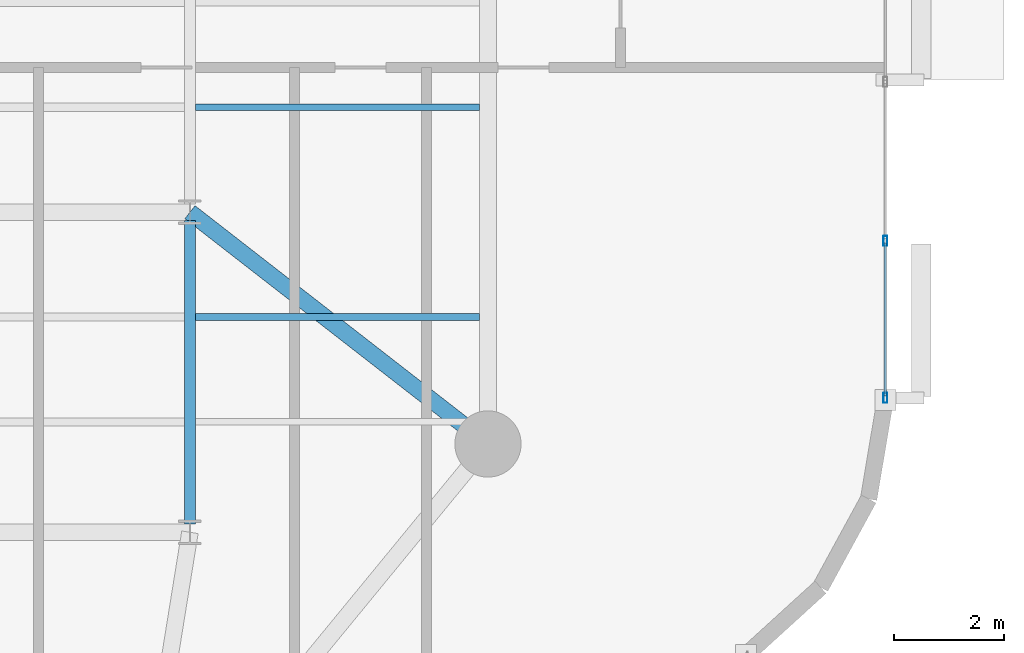
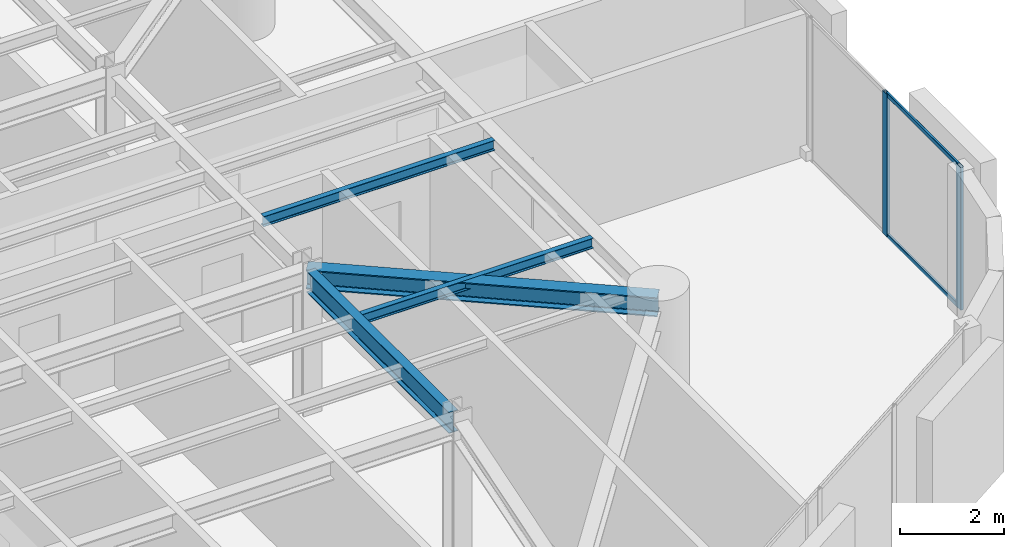
# One storey, part 3 of 15: 4 beams, 4 members, 1 element without a shape of its own.
"""IFC4 building model written with IfcOpenShell, lengths in metres."""

from ifc_helpers import new_model, si_unit, direction, frame, origin, origin_2d, place, context, subcontext, project, spatial, hollow_rectangle, i_section, extrude, material, layer, layer_set, material_profile, profile_set, type_object, element, aggregate, save


model = new_model("IFC4")

# Units and contexts
model_context = context("Model", 3, precision=1e-05, world=origin(), true_north=direction((0.0, 1.0)))
body_context = subcontext(model_context, "Body", "Model", "MODEL_VIEW")
ifc_project = project(units=[si_unit("LENGTHUNIT", "METRE"), si_unit("AREAUNIT", "SQUARE_METRE"), si_unit("VOLUMEUNIT", "CUBIC_METRE"), si_unit("PLANEANGLEUNIT", "RADIAN"), si_unit("MASSUNIT", "GRAM", prefix="KILO")], contexts=[model_context])

# Site, building, storey
site_placement = place(None, origin())
site = spatial("IfcSite", under=ifc_project, at=site_placement, CompositionType="ELEMENT")
building_placement = place(site_placement, origin())
building = spatial("IfcBuilding", under=site, at=building_placement, Name="An Khanh Terracotta Commons", CompositionType="ELEMENT")
storey_placement = place(building_placement, frame((0.0, 0.0, 187.0)))
storey = spatial("IfcBuildingStorey", under=building, at=storey_placement, Name="L49", CompositionType="ELEMENT", Elevation=187.0)

# Beams
ifc_material_1 = material(Name="Steel S355J2", Category="steel")
ifc_material_profile_1 = material_profile(ifc_material_1, i_section(OverallWidth=0.300048828125, OverallDepth=0.449951171875, WebThickness=0.013916015625, FlangeThickness=0.02587890625, FilletRadius=0.027099609375, at=origin_2d()), Name="HEB450")
ifc_profile_set_1 = profile_set([ifc_material_profile_1], Name="Steel S355J2")
beam_type_1 = type_object("IfcBeamType", Name="BM-HEB450", PredefinedType="BEAM", material=ifc_profile_set_1)
beam_1_placement = place(storey_placement, frame((55.800048828125, 16.0, 3.135009765625), z_axis=(-0.789363746927, 0.61392578952, 0.0), x_axis=(-0.61392578952, -0.789363746927, 0.0)))
element("IfcBeam", 1, at=beam_1_placement, inside=storey, type_object=beam_type_1, Name="L49 Mega-Column Tie Girder 3", PredefinedType="BEAM", context=body_context, shape_type="SweptSolid", body=[
    extrude(i_section(OverallWidth=0.300048828125, OverallDepth=0.449951171875, WebThickness=0.013916015625, FlangeThickness=0.02587890625, FilletRadius=0.027099609375, at=origin_2d()), origin(), (0.0, 0.0, 1.0), 6.841064453125),
])
ifc_material_profile_2 = material_profile(ifc_material_1, i_section(OverallWidth=0.1201171875, OverallDepth=0.239990234375, WebThickness=0.006103515625, FlangeThickness=0.009765625, FilletRadius=0.014892578125, at=origin_2d()), Name="IPE240")
ifc_profile_set_2 = profile_set([ifc_material_profile_2], Name="Steel S355J2")
beam_type_2 = type_object("IfcBeamType", Name="BM-IPE240", PredefinedType="JOIST", material=ifc_profile_set_2)
for number, where, z_axis, x_axis, name in (
    (2, (50.5, 18.300048828125, 3.239990234375), (1.0, 0.0, 0.0), (0.0, 1.0, 0.0), "L49 Riverfront Composite Joist 2"),
    (3, (50.5, 22.10009765625, 3.239990234375), (1.0, 0.0, 0.0), (0.0, 1.0, 0.0), "L49 Riverfront Composite Joist 3"),
):
    element("IfcBeam", number, at=place(storey_placement, frame(where, z_axis=z_axis, x_axis=x_axis)), inside=storey, type_object=beam_type_2, Name=name, PredefinedType="JOIST", context=body_context, shape_type="SweptSolid", body=[
        extrude(i_section(OverallWidth=0.1201171875, OverallDepth=0.239990234375, WebThickness=0.006103515625, FlangeThickness=0.009765625, FilletRadius=0.014892578125, at=origin_2d()), origin(), (0.0, 0.0, 1.0), 5.14990234375),
    ])
ifc_material_profile_3 = material_profile(ifc_material_1, i_section(OverallWidth=0.199951171875, OverallDepth=0.5, WebThickness=0.01025390625, FlangeThickness=0.01611328125, FilletRadius=0.02099609375, at=origin_2d()), Name="IPE500")
ifc_profile_set_3 = profile_set([ifc_material_profile_3], Name="Steel S355J2")
beam_type_3 = type_object("IfcBeamType", Name="BM-IPE500", PredefinedType="BEAM", material=ifc_profile_set_3)
beam_2_placement = place(storey_placement, frame((50.39990234375, 14.550048828125, 3.110107421875), z_axis=(0.0, 1.0, 0.0), x_axis=(-1.0, 0.0, 0.0)))
element("IfcBeam", 4, at=beam_2_placement, inside=storey, type_object=beam_type_3, Name="L49 East Spine Girder 1", PredefinedType="BEAM", context=body_context, shape_type="SweptSolid", body=[
    extrude(i_section(OverallWidth=0.199951171875, OverallDepth=0.5, WebThickness=0.01025390625, FlangeThickness=0.01611328125, FilletRadius=0.02099609375, at=origin_2d()), origin(), (0.0, 0.0, 1.0), 5.5),
])

# Curtain wall, members
ifc_material_2 = material(Name="Anodised Aluminium 6063-T6", Category="aluminium")
ifc_layer = layer(ifc_material_2, 0.2099609375, Name="Anodised Aluminium 6063-T6")
ifc_layer_set = layer_set([ifc_layer], Name="Anodised Aluminium 6063-T6")
curtain_wall_type = type_object("IfcCurtainWallType", Name="CW-SYS-03", PredefinedType="USERDEFINED", material=ifc_layer_set)
curtain_wall_placement = place(storey_placement, origin())
curtain_wall = element("IfcCurtainWall", 5, at=curtain_wall_placement, inside=storey, type_object=curtain_wall_type, Name="L49 CW-03 Unitised Curtain Wall CW-L49-12", ObjectType="UNITISED CURTAIN WALL", PredefinedType="USERDEFINED")
ifc_material_profile_4 = material_profile(ifc_material_2, hollow_rectangle(XDim=0.070068359375, YDim=0.179931640625, WallThickness=0.00390625, InnerFilletRadius=0.00390625, OuterFilletRadius=0.008056640625, at=origin_2d()), Name="RHS180x70x4")
ifc_profile_set_4 = profile_set([ifc_material_profile_4], Name="Anodised Aluminium 6063-T6")
member_type_1 = type_object("IfcMemberType", Name="CWM-RHS180x70x4", PredefinedType="MULLION", material=ifc_profile_set_4)
member_1_placement = place(storey_placement, frame((63.0, 16.8349609375, 0.0), z_axis=(0.0, 0.0, 1.0), x_axis=(-1.0, 0.0, 0.0)))
member_1 = element("IfcMember", 6, at=member_1_placement, type_object=member_type_1, Name="CW-03 mullion 1", PredefinedType="MULLION", context=body_context, shape_type="SweptSolid", body=[
    extrude(hollow_rectangle(XDim=0.070068359375, YDim=0.179931640625, WallThickness=0.00390625, InnerFilletRadius=0.00390625, OuterFilletRadius=0.008056640625, at=origin_2d()), origin(), (0.0, 0.0, 1.0), 3.360107421875),
])
member_2_placement = place(storey_placement, frame((63.0, 19.679931640625, 0.0), z_axis=(0.0, 0.0, 1.0), x_axis=(-1.0, 0.0, 0.0)))
member_2 = element("IfcMember", 7, at=member_2_placement, type_object=member_type_1, Name="CW-03 mullion 2", PredefinedType="MULLION", context=body_context, shape_type="SweptSolid", body=[
    extrude(hollow_rectangle(XDim=0.070068359375, YDim=0.179931640625, WallThickness=0.00390625, InnerFilletRadius=0.00390625, OuterFilletRadius=0.008056640625, at=origin_2d()), origin(), (0.0, 0.0, 1.0), 3.360107421875),
])
ifc_material_profile_5 = material_profile(ifc_material_2, hollow_rectangle(XDim=0.050048828125, YDim=0.10009765625, WallThickness=0.003173828125, InnerFilletRadius=0.003173828125, OuterFilletRadius=0.00634765625, at=origin_2d()), Name="RHS100x50x3.2")
ifc_profile_set_5 = profile_set([ifc_material_profile_5], Name="Anodised Aluminium 6063-T6")
member_type_2 = type_object("IfcMemberType", Name="CWT-RHS100x50x3.2", PredefinedType="USERDEFINED", material=ifc_profile_set_5)
member_3_placement = place(storey_placement, frame((63.0, 16.8701171875, 0.02490234375), z_axis=(0.0, 1.0, 0.0), x_axis=(-1.0, 0.0, 0.0)))
member_3 = element("IfcMember", 8, at=member_3_placement, type_object=member_type_2, Name="CW-03 transom 1.1", ObjectType="TRANSOM", PredefinedType="USERDEFINED", context=body_context, shape_type="SweptSolid", body=[
    extrude(hollow_rectangle(XDim=0.050048828125, YDim=0.10009765625, WallThickness=0.003173828125, InnerFilletRadius=0.003173828125, OuterFilletRadius=0.00634765625, at=origin_2d()), origin(), (0.0, 0.0, 1.0), 2.77490234375),
])
member_4_placement = place(storey_placement, frame((63.0, 16.8701171875, 3.3349609375), z_axis=(0.0, 1.0, 0.0), x_axis=(-1.0, 0.0, 0.0)))
member_4 = element("IfcMember", 9, at=member_4_placement, type_object=member_type_2, Name="CW-03 transom 1.2", ObjectType="TRANSOM", PredefinedType="USERDEFINED", context=body_context, shape_type="SweptSolid", body=[
    extrude(hollow_rectangle(XDim=0.050048828125, YDim=0.10009765625, WallThickness=0.003173828125, InnerFilletRadius=0.003173828125, OuterFilletRadius=0.00634765625, at=origin_2d()), origin(), (0.0, 0.0, 1.0), 2.77490234375),
])
aggregate(curtain_wall, [member_1, member_2, member_3, member_4])

save(model, "model.ifc")
